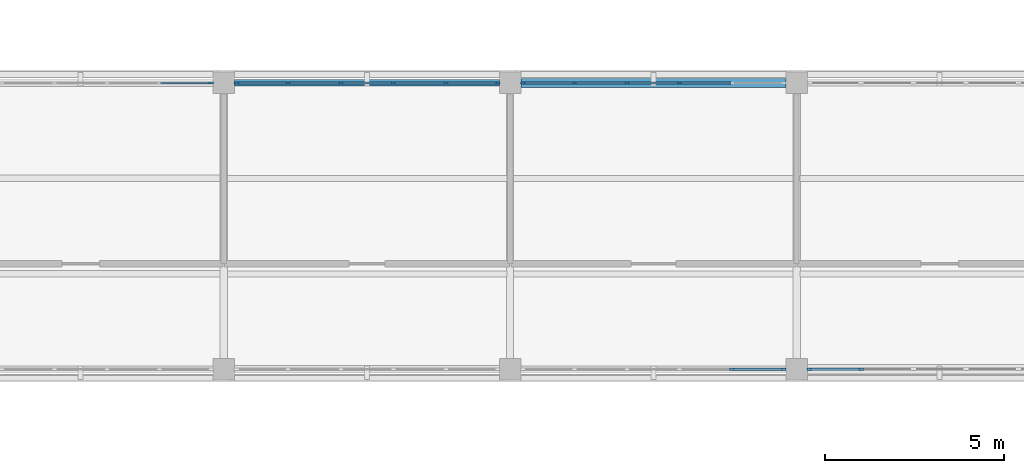
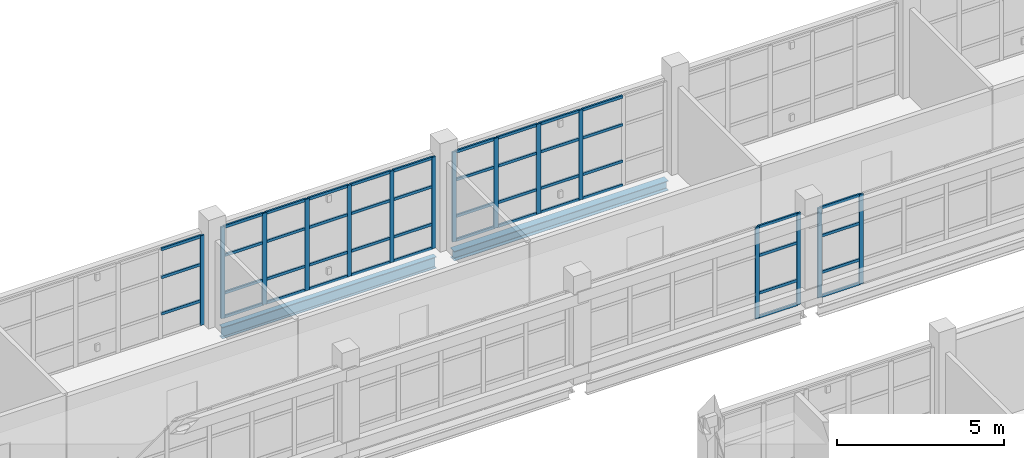
# One storey, part 52 of 126: 62 members, 2 beams, 5 elements without a shape of their own.
"""IFC4 building model written with IfcOpenShell, lengths in metres."""

from ifc_helpers import new_model, si_unit, derived_unit, direction, frame, origin, origin_2d, place, context, subcontext, project, spatial, rectangle, i_section, extrude, material, layer, layer_set, material_profile, profile_set, type_object, element, aggregate, save


model = new_model("IFC4")

# Units and contexts
model_context = context("Model", 3, precision=1e-05, world=origin(), true_north=direction((0.0, 1.0)))
body_context = subcontext(model_context, "Body", "Model", "MODEL_VIEW")
ifc_project = project(units=[si_unit("LENGTHUNIT", "METRE"), si_unit("AREAUNIT", "SQUARE_METRE"), si_unit("VOLUMEUNIT", "CUBIC_METRE"), si_unit("PLANEANGLEUNIT", "RADIAN"), si_unit("MASSUNIT", "GRAM", prefix="KILO"), derived_unit("THERMALTRANSMITTANCEUNIT", [(si_unit("MASSUNIT", "GRAM", prefix="KILO"), 1), (si_unit("TIMEUNIT", "SECOND"), -3), (si_unit("THERMODYNAMICTEMPERATUREUNIT", "KELVIN"), -1)])], contexts=[model_context])

# Site, building, storey
site_placement = place(None, origin())
site = spatial("IfcSite", under=ifc_project, at=site_placement, CompositionType="ELEMENT")
building_placement = place(site_placement, origin())
building = spatial("IfcBuilding", under=site, at=building_placement, Name="Veyamyaing Civic Hall", CompositionType="ELEMENT")
storey_placement = place(building_placement, frame((0.0, 0.0, 9.89990234375)))
storey = spatial("IfcBuildingStorey", under=building, at=storey_placement, Name="L02", CompositionType="ELEMENT", Elevation=9.89990234375)

# Beams
ifc_material_1 = material(Name="Steel ASTM A992", Category="steel")
ifc_material_profile_1 = material_profile(ifc_material_1, i_section(OverallWidth=0.180908203125, OverallDepth=0.4169921875, WebThickness=0.010986328125, FlangeThickness=0.018310546875, FilletRadius=0.010009765625, at=origin_2d()), Name="W410X85")
ifc_profile_set_1 = profile_set([ifc_material_profile_1], Name="Steel ASTM A992")
beam_type_1 = type_object("IfcBeamType", Name="B-19", PredefinedType="SPANDREL", material=ifc_profile_set_1)
beam_1_placement = place(storey_placement, frame((128.300048828125, 56.0, -0.493408203125), z_axis=(1.0, 0.0, 0.0), x_axis=(0.0, 1.0, 0.0)))
element("IfcBeam", 1, at=beam_1_placement, inside=storey, type_object=beam_type_1, Name="Girder B-19 L02 Grid H 17-18", PredefinedType="SPANDREL", context=body_context, shape_type="SweptSolid", body=[
    extrude(i_section(OverallWidth=0.180908203125, OverallDepth=0.4169921875, WebThickness=0.010986328125, FlangeThickness=0.018310546875, FilletRadius=0.010009765625, at=origin_2d()), origin(), (0.0, 0.0, 1.0), 7.39990234375),
])
ifc_material_profile_2 = material_profile(ifc_material_1, i_section(OverallWidth=0.25390625, OverallDepth=0.35302734375, WebThickness=0.009521484375, FlangeThickness=0.016357421875, FilletRadius=0.011962890625, at=origin_2d()), Name="W360X91")
ifc_profile_set_2 = profile_set([ifc_material_profile_2], Name="Steel ASTM A992")
beam_type_2 = type_object("IfcBeamType", Name="B-20", PredefinedType="SPANDREL", material=ifc_profile_set_2)
beam_2_placement = place(storey_placement, frame((136.300048828125, 56.0, -0.46142578125), z_axis=(1.0, 0.0, 0.0), x_axis=(0.0, 1.0, 0.0)))
element("IfcBeam", 2, at=beam_2_placement, inside=storey, type_object=beam_type_2, Name="Girder B-20 L02 Grid H 18-19", PredefinedType="SPANDREL", context=body_context, shape_type="SweptSolid", body=[
    extrude(i_section(OverallWidth=0.25390625, OverallDepth=0.35302734375, WebThickness=0.009521484375, FlangeThickness=0.016357421875, FilletRadius=0.011962890625, at=origin_2d()), origin(), (0.0, 0.0, 1.0), 7.39990234375),
])

# Curtain wall, member
ifc_material_2 = material(Name="Anodised aluminium 6063-T6", Category="aluminium")
ifc_layer = layer(ifc_material_2, 0.139892578125, Name="Anodised aluminium 6063-T6")
ifc_layer_set = layer_set([ifc_layer], Name="Anodised aluminium 6063-T6")
curtain_wall_type = type_object("IfcCurtainWallType", Name="CW-04", PredefinedType="NOTDEFINED", material=ifc_layer_set)
curtain_wall_1_placement = place(storey_placement, origin())
curtain_wall_1 = element("IfcCurtainWall", 3, at=curtain_wall_1_placement, inside=storey, type_object=curtain_wall_type, Name="Unitized curtain wall CW-04 L02 N 16.7", PredefinedType="NOTDEFINED")
ifc_material_profile_3 = material_profile(ifc_material_2, rectangle(XDim=0.06005859375, YDim=0.139892578125, at=origin_2d()), Name="ALU-MUL-60X140")
ifc_profile_set_3 = profile_set([ifc_material_profile_3], Name="Anodised aluminium 6063-T6")
member_type_1 = type_object("IfcMemberType", Name="CWM-03", PredefinedType="MULLION", material=ifc_profile_set_3)
member_1_placement = place(storey_placement, frame((127.639892578125, 56.0, 0.0), z_axis=(0.0, 0.0, 1.0), x_axis=(0.0, 1.0, 0.0)))
member_1 = element("IfcMember", 4, at=member_1_placement, type_object=member_type_1, Name="CW-04 mullion 6", PredefinedType="MULLION", context=body_context, shape_type="SweptSolid", body=[
    extrude(rectangle(XDim=0.06005859375, YDim=0.139892578125, at=origin_2d()), origin(), (0.0, 0.0, 1.0), 3.280029296875),
])

# Curtain wall, members
curtain_wall_2_placement = place(storey_placement, origin())
curtain_wall_2 = element("IfcCurtainWall", 5, at=curtain_wall_2_placement, inside=storey, type_object=curtain_wall_type, Name="Unitized curtain wall CW-04 L02 N 17.7", PredefinedType="NOTDEFINED")
member_2_placement = place(storey_placement, frame((128.360107421875, 56.0, 0.0), z_axis=(0.0, 0.0, 1.0), x_axis=(0.0, 1.0, 0.0)))
member_2 = element("IfcMember", 6, at=member_2_placement, type_object=member_type_1, Name="CW-04 mullion 1", PredefinedType="MULLION", context=body_context, shape_type="SweptSolid", body=[
    extrude(rectangle(XDim=0.06005859375, YDim=0.139892578125, at=origin_2d()), origin(), (0.0, 0.0, 1.0), 3.343994140625),
])
member_3_placement = place(storey_placement, frame((129.798095703125, 56.0, 0.0), z_axis=(0.0, 0.0, 1.0), x_axis=(0.0, 1.0, 0.0)))
member_3 = element("IfcMember", 7, at=member_3_placement, type_object=member_type_1, Name="CW-04 mullion 2", PredefinedType="MULLION", context=body_context, shape_type="SweptSolid", body=[
    extrude(rectangle(XDim=0.06005859375, YDim=0.139892578125, at=origin_2d()), origin(), (0.0, 0.0, 1.0), 3.343994140625),
])
member_4_placement = place(storey_placement, frame((131.26611328125, 56.0, 0.0), z_axis=(0.0, 0.0, 1.0), x_axis=(0.0, 1.0, 0.0)))
member_4 = element("IfcMember", 8, at=member_4_placement, type_object=member_type_1, Name="CW-04 mullion 3", PredefinedType="MULLION", context=body_context, shape_type="SweptSolid", body=[
    extrude(rectangle(XDim=0.06005859375, YDim=0.139892578125, at=origin_2d()), origin(), (0.0, 0.0, 1.0), 3.343994140625),
])
member_5_placement = place(storey_placement, frame((132.73388671875, 56.0, 0.0), z_axis=(0.0, 0.0, 1.0), x_axis=(0.0, 1.0, 0.0)))
member_5 = element("IfcMember", 9, at=member_5_placement, type_object=member_type_1, Name="CW-04 mullion 4", PredefinedType="MULLION", context=body_context, shape_type="SweptSolid", body=[
    extrude(rectangle(XDim=0.06005859375, YDim=0.139892578125, at=origin_2d()), origin(), (0.0, 0.0, 1.0), 3.343994140625),
])
member_6_placement = place(storey_placement, frame((134.201904296875, 56.0, 0.0), z_axis=(0.0, 0.0, 1.0), x_axis=(0.0, 1.0, 0.0)))
member_6 = element("IfcMember", 10, at=member_6_placement, type_object=member_type_1, Name="CW-04 mullion 5", PredefinedType="MULLION", context=body_context, shape_type="SweptSolid", body=[
    extrude(rectangle(XDim=0.06005859375, YDim=0.139892578125, at=origin_2d()), origin(), (0.0, 0.0, 1.0), 3.343994140625),
])
member_7_placement = place(storey_placement, frame((135.639892578125, 56.0, 0.0), z_axis=(0.0, 0.0, 1.0), x_axis=(0.0, 1.0, 0.0)))
member_7 = element("IfcMember", 11, at=member_7_placement, type_object=member_type_1, Name="CW-04 mullion 6", PredefinedType="MULLION", context=body_context, shape_type="SweptSolid", body=[
    extrude(rectangle(XDim=0.06005859375, YDim=0.139892578125, at=origin_2d()), origin(), (0.0, 0.0, 1.0), 3.343994140625),
])

curtain_wall_3_placement = place(storey_placement, origin())
curtain_wall_3 = element("IfcCurtainWall", 12, at=curtain_wall_3_placement, inside=storey, type_object=curtain_wall_type, Name="Unitized curtain wall CW-04 L02 S 18.7", PredefinedType="NOTDEFINED")
member_8_placement = place(storey_placement, frame((142.201904296875, 48.0, 0.0), z_axis=(0.0, 0.0, 1.0), x_axis=(0.0, 1.0, 0.0)))
member_8 = element("IfcMember", 13, at=member_8_placement, type_object=member_type_1, Name="CW-04 mullion 5", PredefinedType="MULLION", context=body_context, shape_type="SweptSolid", body=[
    extrude(rectangle(XDim=0.06005859375, YDim=0.139892578125, at=origin_2d()), origin(), (0.0, 0.0, 1.0), 3.343994140625),
])
member_9_placement = place(storey_placement, frame((143.639892578125, 48.0, 0.0), z_axis=(0.0, 0.0, 1.0), x_axis=(0.0, 1.0, 0.0)))
member_9 = element("IfcMember", 14, at=member_9_placement, type_object=member_type_1, Name="CW-04 mullion 6", PredefinedType="MULLION", context=body_context, shape_type="SweptSolid", body=[
    extrude(rectangle(XDim=0.06005859375, YDim=0.139892578125, at=origin_2d()), origin(), (0.0, 0.0, 1.0), 3.343994140625),
])

curtain_wall_4_placement = place(storey_placement, origin())
curtain_wall_4 = element("IfcCurtainWall", 15, at=curtain_wall_4_placement, inside=storey, type_object=curtain_wall_type, Name="Unitized curtain wall CW-04 L02 N 18.7", PredefinedType="NOTDEFINED")
member_10_placement = place(storey_placement, frame((136.360107421875, 56.0, 0.0), z_axis=(0.0, 0.0, 1.0), x_axis=(0.0, 1.0, 0.0)))
member_10 = element("IfcMember", 16, at=member_10_placement, type_object=member_type_1, Name="CW-04 mullion 1", PredefinedType="MULLION", context=body_context, shape_type="SweptSolid", body=[
    extrude(rectangle(XDim=0.06005859375, YDim=0.139892578125, at=origin_2d()), origin(), (0.0, 0.0, 1.0), 3.2841796875),
])
member_11_placement = place(storey_placement, frame((137.798095703125, 56.0, 0.0), z_axis=(0.0, 0.0, 1.0), x_axis=(0.0, 1.0, 0.0)))
member_11 = element("IfcMember", 17, at=member_11_placement, type_object=member_type_1, Name="CW-04 mullion 2", PredefinedType="MULLION", context=body_context, shape_type="SweptSolid", body=[
    extrude(rectangle(XDim=0.06005859375, YDim=0.139892578125, at=origin_2d()), origin(), (0.0, 0.0, 1.0), 3.2841796875),
])
member_12_placement = place(storey_placement, frame((139.26611328125, 56.0, 0.0), z_axis=(0.0, 0.0, 1.0), x_axis=(0.0, 1.0, 0.0)))
member_12 = element("IfcMember", 18, at=member_12_placement, type_object=member_type_1, Name="CW-04 mullion 3", PredefinedType="MULLION", context=body_context, shape_type="SweptSolid", body=[
    extrude(rectangle(XDim=0.06005859375, YDim=0.139892578125, at=origin_2d()), origin(), (0.0, 0.0, 1.0), 3.2841796875),
])
member_13_placement = place(storey_placement, frame((140.73388671875, 56.0, 0.0), z_axis=(0.0, 0.0, 1.0), x_axis=(0.0, 1.0, 0.0)))
member_13 = element("IfcMember", 19, at=member_13_placement, type_object=member_type_1, Name="CW-04 mullion 4", PredefinedType="MULLION", context=body_context, shape_type="SweptSolid", body=[
    extrude(rectangle(XDim=0.06005859375, YDim=0.139892578125, at=origin_2d()), origin(), (0.0, 0.0, 1.0), 3.2841796875),
])

curtain_wall_5_placement = place(storey_placement, origin())
curtain_wall_5 = element("IfcCurtainWall", 20, at=curtain_wall_5_placement, inside=storey, type_object=curtain_wall_type, Name="Unitized curtain wall CW-04 L02 S 19.7", PredefinedType="NOTDEFINED")
member_14_placement = place(storey_placement, frame((144.360107421875, 48.0, 0.0), z_axis=(0.0, 0.0, 1.0), x_axis=(0.0, 1.0, 0.0)))
member_14 = element("IfcMember", 21, at=member_14_placement, type_object=member_type_1, Name="CW-04 mullion 1", PredefinedType="MULLION", context=body_context, shape_type="SweptSolid", body=[
    extrude(rectangle(XDim=0.06005859375, YDim=0.139892578125, at=origin_2d()), origin(), (0.0, 0.0, 1.0), 3.2841796875),
])
member_15_placement = place(storey_placement, frame((145.798095703125, 48.0, 0.0), z_axis=(0.0, 0.0, 1.0), x_axis=(0.0, 1.0, 0.0)))
member_15 = element("IfcMember", 22, at=member_15_placement, type_object=member_type_1, Name="CW-04 mullion 2", PredefinedType="MULLION", context=body_context, shape_type="SweptSolid", body=[
    extrude(rectangle(XDim=0.06005859375, YDim=0.139892578125, at=origin_2d()), origin(), (0.0, 0.0, 1.0), 3.2841796875),
])

# Member
ifc_material_profile_4 = material_profile(ifc_material_2, rectangle(XDim=0.06005859375, YDim=0.10009765625, at=origin_2d()), Name="ALU-TRN-60X100")
ifc_profile_set_4 = profile_set([ifc_material_profile_4], Name="Anodised aluminium 6063-T6")
member_type_2 = type_object("IfcMemberType", Name="CWT-03", PredefinedType="USERDEFINED", material=ifc_profile_set_4)
member_16_placement = place(storey_placement, frame((126.23193359375, 56.0, 0.900146484375), z_axis=(1.0, 0.0, 0.0), x_axis=(0.0, 1.0, 0.0)))
member_16 = element("IfcMember", 23, at=member_16_placement, type_object=member_type_2, Name="CW-04 transom 5.2", ObjectType="TRANSOM", PredefinedType="USERDEFINED", context=body_context, shape_type="SweptSolid", body=[
    extrude(rectangle(XDim=0.06005859375, YDim=0.10009765625, at=origin_2d()), origin(), (0.0, 0.0, 1.0), 1.378173828125),
])

member_17_placement = place(storey_placement, frame((126.23193359375, 56.0, 2.23046875), z_axis=(1.0, 0.0, 0.0), x_axis=(0.0, 1.0, 0.0)))
member_17 = element("IfcMember", 24, at=member_17_placement, type_object=member_type_2, Name="CW-04 transom 5.3", ObjectType="TRANSOM", PredefinedType="USERDEFINED", context=body_context, shape_type="SweptSolid", body=[
    extrude(rectangle(XDim=0.06005859375, YDim=0.10009765625, at=origin_2d()), origin(), (0.0, 0.0, 1.0), 1.378173828125),
])

member_18_placement = place(storey_placement, frame((126.23193359375, 56.0, 3.25), z_axis=(1.0, 0.0, 0.0), x_axis=(0.0, 1.0, 0.0)))
member_18 = element("IfcMember", 25, at=member_18_placement, type_object=member_type_2, Name="CW-04 transom 5.4", ObjectType="TRANSOM", PredefinedType="USERDEFINED", context=body_context, shape_type="SweptSolid", body=[
    extrude(rectangle(XDim=0.06005859375, YDim=0.10009765625, at=origin_2d()), origin(), (0.0, 0.0, 1.0), 1.378173828125),
])

aggregate(curtain_wall_1, [member_1, member_16, member_17, member_18])

member_19_placement = place(storey_placement, frame((128.389892578125, 56.0, 0.030029296875), z_axis=(1.0, 0.0, 0.0), x_axis=(0.0, 1.0, 0.0)))
member_19 = element("IfcMember", 26, at=member_19_placement, type_object=member_type_2, Name="CW-04 transom 1.1", ObjectType="TRANSOM", PredefinedType="USERDEFINED", context=body_context, shape_type="SweptSolid", body=[
    extrude(rectangle(XDim=0.06005859375, YDim=0.10009765625, at=origin_2d()), origin(), (0.0, 0.0, 1.0), 1.378173828125),
])

member_20_placement = place(storey_placement, frame((128.389892578125, 56.0, 0.900146484375), z_axis=(1.0, 0.0, 0.0), x_axis=(0.0, 1.0, 0.0)))
member_20 = element("IfcMember", 27, at=member_20_placement, type_object=member_type_2, Name="CW-04 transom 1.2", ObjectType="TRANSOM", PredefinedType="USERDEFINED", context=body_context, shape_type="SweptSolid", body=[
    extrude(rectangle(XDim=0.06005859375, YDim=0.10009765625, at=origin_2d()), origin(), (0.0, 0.0, 1.0), 1.378173828125),
])

member_21_placement = place(storey_placement, frame((128.389892578125, 56.0, 2.27392578125), z_axis=(1.0, 0.0, 0.0), x_axis=(0.0, 1.0, 0.0)))
member_21 = element("IfcMember", 28, at=member_21_placement, type_object=member_type_2, Name="CW-04 transom 1.3", ObjectType="TRANSOM", PredefinedType="USERDEFINED", context=body_context, shape_type="SweptSolid", body=[
    extrude(rectangle(XDim=0.06005859375, YDim=0.10009765625, at=origin_2d()), origin(), (0.0, 0.0, 1.0), 1.378173828125),
])

member_22_placement = place(storey_placement, frame((128.389892578125, 56.0, 3.314208984375), z_axis=(1.0, 0.0, 0.0), x_axis=(0.0, 1.0, 0.0)))
member_22 = element("IfcMember", 29, at=member_22_placement, type_object=member_type_2, Name="CW-04 transom 1.4", ObjectType="TRANSOM", PredefinedType="USERDEFINED", context=body_context, shape_type="SweptSolid", body=[
    extrude(rectangle(XDim=0.06005859375, YDim=0.10009765625, at=origin_2d()), origin(), (0.0, 0.0, 1.0), 1.378173828125),
])

member_23_placement = place(storey_placement, frame((129.827880859375, 56.0, 0.030029296875), z_axis=(1.0, 0.0, 0.0), x_axis=(0.0, 1.0, 0.0)))
member_23 = element("IfcMember", 30, at=member_23_placement, type_object=member_type_2, Name="CW-04 transom 2.1", ObjectType="TRANSOM", PredefinedType="USERDEFINED", context=body_context, shape_type="SweptSolid", body=[
    extrude(rectangle(XDim=0.06005859375, YDim=0.10009765625, at=origin_2d()), origin(), (0.0, 0.0, 1.0), 1.408203125),
])

member_24_placement = place(storey_placement, frame((129.827880859375, 56.0, 0.900146484375), z_axis=(1.0, 0.0, 0.0), x_axis=(0.0, 1.0, 0.0)))
member_24 = element("IfcMember", 31, at=member_24_placement, type_object=member_type_2, Name="CW-04 transom 2.2", ObjectType="TRANSOM", PredefinedType="USERDEFINED", context=body_context, shape_type="SweptSolid", body=[
    extrude(rectangle(XDim=0.06005859375, YDim=0.10009765625, at=origin_2d()), origin(), (0.0, 0.0, 1.0), 1.408203125),
])

member_25_placement = place(storey_placement, frame((129.827880859375, 56.0, 2.27392578125), z_axis=(1.0, 0.0, 0.0), x_axis=(0.0, 1.0, 0.0)))
member_25 = element("IfcMember", 32, at=member_25_placement, type_object=member_type_2, Name="CW-04 transom 2.3", ObjectType="TRANSOM", PredefinedType="USERDEFINED", context=body_context, shape_type="SweptSolid", body=[
    extrude(rectangle(XDim=0.06005859375, YDim=0.10009765625, at=origin_2d()), origin(), (0.0, 0.0, 1.0), 1.408203125),
])

member_26_placement = place(storey_placement, frame((129.827880859375, 56.0, 3.314208984375), z_axis=(1.0, 0.0, 0.0), x_axis=(0.0, 1.0, 0.0)))
member_26 = element("IfcMember", 33, at=member_26_placement, type_object=member_type_2, Name="CW-04 transom 2.4", ObjectType="TRANSOM", PredefinedType="USERDEFINED", context=body_context, shape_type="SweptSolid", body=[
    extrude(rectangle(XDim=0.06005859375, YDim=0.10009765625, at=origin_2d()), origin(), (0.0, 0.0, 1.0), 1.408203125),
])

member_27_placement = place(storey_placement, frame((131.2958984375, 56.0, 0.030029296875), z_axis=(1.0, 0.0, 0.0), x_axis=(0.0, 1.0, 0.0)))
member_27 = element("IfcMember", 34, at=member_27_placement, type_object=member_type_2, Name="CW-04 transom 3.1", ObjectType="TRANSOM", PredefinedType="USERDEFINED", context=body_context, shape_type="SweptSolid", body=[
    extrude(rectangle(XDim=0.06005859375, YDim=0.10009765625, at=origin_2d()), origin(), (0.0, 0.0, 1.0), 1.408203125),
])

member_28_placement = place(storey_placement, frame((131.2958984375, 56.0, 0.900146484375), z_axis=(1.0, 0.0, 0.0), x_axis=(0.0, 1.0, 0.0)))
member_28 = element("IfcMember", 35, at=member_28_placement, type_object=member_type_2, Name="CW-04 transom 3.2", ObjectType="TRANSOM", PredefinedType="USERDEFINED", context=body_context, shape_type="SweptSolid", body=[
    extrude(rectangle(XDim=0.06005859375, YDim=0.10009765625, at=origin_2d()), origin(), (0.0, 0.0, 1.0), 1.408203125),
])

member_29_placement = place(storey_placement, frame((131.2958984375, 56.0, 2.27392578125), z_axis=(1.0, 0.0, 0.0), x_axis=(0.0, 1.0, 0.0)))
member_29 = element("IfcMember", 36, at=member_29_placement, type_object=member_type_2, Name="CW-04 transom 3.3", ObjectType="TRANSOM", PredefinedType="USERDEFINED", context=body_context, shape_type="SweptSolid", body=[
    extrude(rectangle(XDim=0.06005859375, YDim=0.10009765625, at=origin_2d()), origin(), (0.0, 0.0, 1.0), 1.408203125),
])

member_30_placement = place(storey_placement, frame((131.2958984375, 56.0, 3.314208984375), z_axis=(1.0, 0.0, 0.0), x_axis=(0.0, 1.0, 0.0)))
member_30 = element("IfcMember", 37, at=member_30_placement, type_object=member_type_2, Name="CW-04 transom 3.4", ObjectType="TRANSOM", PredefinedType="USERDEFINED", context=body_context, shape_type="SweptSolid", body=[
    extrude(rectangle(XDim=0.06005859375, YDim=0.10009765625, at=origin_2d()), origin(), (0.0, 0.0, 1.0), 1.408203125),
])

member_31_placement = place(storey_placement, frame((132.763916015625, 56.0, 0.030029296875), z_axis=(1.0, 0.0, 0.0), x_axis=(0.0, 1.0, 0.0)))
member_31 = element("IfcMember", 38, at=member_31_placement, type_object=member_type_2, Name="CW-04 transom 4.1", ObjectType="TRANSOM", PredefinedType="USERDEFINED", context=body_context, shape_type="SweptSolid", body=[
    extrude(rectangle(XDim=0.06005859375, YDim=0.10009765625, at=origin_2d()), origin(), (0.0, 0.0, 1.0), 1.408203125),
])

member_32_placement = place(storey_placement, frame((132.763916015625, 56.0, 0.900146484375), z_axis=(1.0, 0.0, 0.0), x_axis=(0.0, 1.0, 0.0)))
member_32 = element("IfcMember", 39, at=member_32_placement, type_object=member_type_2, Name="CW-04 transom 4.2", ObjectType="TRANSOM", PredefinedType="USERDEFINED", context=body_context, shape_type="SweptSolid", body=[
    extrude(rectangle(XDim=0.06005859375, YDim=0.10009765625, at=origin_2d()), origin(), (0.0, 0.0, 1.0), 1.408203125),
])

member_33_placement = place(storey_placement, frame((132.763916015625, 56.0, 2.27392578125), z_axis=(1.0, 0.0, 0.0), x_axis=(0.0, 1.0, 0.0)))
member_33 = element("IfcMember", 40, at=member_33_placement, type_object=member_type_2, Name="CW-04 transom 4.3", ObjectType="TRANSOM", PredefinedType="USERDEFINED", context=body_context, shape_type="SweptSolid", body=[
    extrude(rectangle(XDim=0.06005859375, YDim=0.10009765625, at=origin_2d()), origin(), (0.0, 0.0, 1.0), 1.408203125),
])

member_34_placement = place(storey_placement, frame((132.763916015625, 56.0, 3.314208984375), z_axis=(1.0, 0.0, 0.0), x_axis=(0.0, 1.0, 0.0)))
member_34 = element("IfcMember", 41, at=member_34_placement, type_object=member_type_2, Name="CW-04 transom 4.4", ObjectType="TRANSOM", PredefinedType="USERDEFINED", context=body_context, shape_type="SweptSolid", body=[
    extrude(rectangle(XDim=0.06005859375, YDim=0.10009765625, at=origin_2d()), origin(), (0.0, 0.0, 1.0), 1.408203125),
])

member_35_placement = place(storey_placement, frame((134.23193359375, 56.0, 0.030029296875), z_axis=(1.0, 0.0, 0.0), x_axis=(0.0, 1.0, 0.0)))
member_35 = element("IfcMember", 42, at=member_35_placement, type_object=member_type_2, Name="CW-04 transom 5.1", ObjectType="TRANSOM", PredefinedType="USERDEFINED", context=body_context, shape_type="SweptSolid", body=[
    extrude(rectangle(XDim=0.06005859375, YDim=0.10009765625, at=origin_2d()), origin(), (0.0, 0.0, 1.0), 1.378173828125),
])

member_36_placement = place(storey_placement, frame((134.23193359375, 56.0, 0.900146484375), z_axis=(1.0, 0.0, 0.0), x_axis=(0.0, 1.0, 0.0)))
member_36 = element("IfcMember", 43, at=member_36_placement, type_object=member_type_2, Name="CW-04 transom 5.2", ObjectType="TRANSOM", PredefinedType="USERDEFINED", context=body_context, shape_type="SweptSolid", body=[
    extrude(rectangle(XDim=0.06005859375, YDim=0.10009765625, at=origin_2d()), origin(), (0.0, 0.0, 1.0), 1.378173828125),
])

member_37_placement = place(storey_placement, frame((134.23193359375, 56.0, 2.27392578125), z_axis=(1.0, 0.0, 0.0), x_axis=(0.0, 1.0, 0.0)))
member_37 = element("IfcMember", 44, at=member_37_placement, type_object=member_type_2, Name="CW-04 transom 5.3", ObjectType="TRANSOM", PredefinedType="USERDEFINED", context=body_context, shape_type="SweptSolid", body=[
    extrude(rectangle(XDim=0.06005859375, YDim=0.10009765625, at=origin_2d()), origin(), (0.0, 0.0, 1.0), 1.378173828125),
])

member_38_placement = place(storey_placement, frame((134.23193359375, 56.0, 3.314208984375), z_axis=(1.0, 0.0, 0.0), x_axis=(0.0, 1.0, 0.0)))
member_38 = element("IfcMember", 45, at=member_38_placement, type_object=member_type_2, Name="CW-04 transom 5.4", ObjectType="TRANSOM", PredefinedType="USERDEFINED", context=body_context, shape_type="SweptSolid", body=[
    extrude(rectangle(XDim=0.06005859375, YDim=0.10009765625, at=origin_2d()), origin(), (0.0, 0.0, 1.0), 1.378173828125),
])

aggregate(curtain_wall_2, [member_2, member_3, member_4, member_5, member_6, member_7, member_19, member_20, member_21, member_22, member_23, member_24, member_25, member_26, member_27, member_28, member_29, member_30, member_31, member_32, member_33, member_34, member_35, member_36, member_37, member_38])

member_39_placement = place(storey_placement, frame((142.23193359375, 48.0, 0.030029296875), z_axis=(1.0, 0.0, 0.0), x_axis=(0.0, 1.0, 0.0)))
member_39 = element("IfcMember", 46, at=member_39_placement, type_object=member_type_2, Name="CW-04 transom 5.1", ObjectType="TRANSOM", PredefinedType="USERDEFINED", context=body_context, shape_type="SweptSolid", body=[
    extrude(rectangle(XDim=0.06005859375, YDim=0.10009765625, at=origin_2d()), origin(), (0.0, 0.0, 1.0), 1.378173828125),
])

member_40_placement = place(storey_placement, frame((142.23193359375, 48.0, 0.900146484375), z_axis=(1.0, 0.0, 0.0), x_axis=(0.0, 1.0, 0.0)))
member_40 = element("IfcMember", 47, at=member_40_placement, type_object=member_type_2, Name="CW-04 transom 5.2", ObjectType="TRANSOM", PredefinedType="USERDEFINED", context=body_context, shape_type="SweptSolid", body=[
    extrude(rectangle(XDim=0.06005859375, YDim=0.10009765625, at=origin_2d()), origin(), (0.0, 0.0, 1.0), 1.378173828125),
])

member_41_placement = place(storey_placement, frame((142.23193359375, 48.0, 2.27392578125), z_axis=(1.0, 0.0, 0.0), x_axis=(0.0, 1.0, 0.0)))
member_41 = element("IfcMember", 48, at=member_41_placement, type_object=member_type_2, Name="CW-04 transom 5.3", ObjectType="TRANSOM", PredefinedType="USERDEFINED", context=body_context, shape_type="SweptSolid", body=[
    extrude(rectangle(XDim=0.06005859375, YDim=0.10009765625, at=origin_2d()), origin(), (0.0, 0.0, 1.0), 1.378173828125),
])

member_42_placement = place(storey_placement, frame((142.23193359375, 48.0, 3.314208984375), z_axis=(1.0, 0.0, 0.0), x_axis=(0.0, 1.0, 0.0)))
member_42 = element("IfcMember", 49, at=member_42_placement, type_object=member_type_2, Name="CW-04 transom 5.4", ObjectType="TRANSOM", PredefinedType="USERDEFINED", context=body_context, shape_type="SweptSolid", body=[
    extrude(rectangle(XDim=0.06005859375, YDim=0.10009765625, at=origin_2d()), origin(), (0.0, 0.0, 1.0), 1.378173828125),
])

aggregate(curtain_wall_3, [member_8, member_9, member_39, member_40, member_41, member_42])

member_43_placement = place(storey_placement, frame((136.389892578125, 56.0, 0.030029296875), z_axis=(1.0, 0.0, 0.0), x_axis=(0.0, 1.0, 0.0)))
member_43 = element("IfcMember", 50, at=member_43_placement, type_object=member_type_2, Name="CW-04 transom 1.1", ObjectType="TRANSOM", PredefinedType="USERDEFINED", context=body_context, shape_type="SweptSolid", body=[
    extrude(rectangle(XDim=0.06005859375, YDim=0.10009765625, at=origin_2d()), origin(), (0.0, 0.0, 1.0), 1.378173828125),
])

member_44_placement = place(storey_placement, frame((136.389892578125, 56.0, 0.900146484375), z_axis=(1.0, 0.0, 0.0), x_axis=(0.0, 1.0, 0.0)))
member_44 = element("IfcMember", 51, at=member_44_placement, type_object=member_type_2, Name="CW-04 transom 1.2", ObjectType="TRANSOM", PredefinedType="USERDEFINED", context=body_context, shape_type="SweptSolid", body=[
    extrude(rectangle(XDim=0.06005859375, YDim=0.10009765625, at=origin_2d()), origin(), (0.0, 0.0, 1.0), 1.378173828125),
])

member_45_placement = place(storey_placement, frame((136.389892578125, 56.0, 2.233154296875), z_axis=(1.0, 0.0, 0.0), x_axis=(0.0, 1.0, 0.0)))
member_45 = element("IfcMember", 52, at=member_45_placement, type_object=member_type_2, Name="CW-04 transom 1.3", ObjectType="TRANSOM", PredefinedType="USERDEFINED", context=body_context, shape_type="SweptSolid", body=[
    extrude(rectangle(XDim=0.06005859375, YDim=0.10009765625, at=origin_2d()), origin(), (0.0, 0.0, 1.0), 1.378173828125),
])

member_46_placement = place(storey_placement, frame((136.389892578125, 56.0, 3.254150390625), z_axis=(1.0, 0.0, 0.0), x_axis=(0.0, 1.0, 0.0)))
member_46 = element("IfcMember", 53, at=member_46_placement, type_object=member_type_2, Name="CW-04 transom 1.4", ObjectType="TRANSOM", PredefinedType="USERDEFINED", context=body_context, shape_type="SweptSolid", body=[
    extrude(rectangle(XDim=0.06005859375, YDim=0.10009765625, at=origin_2d()), origin(), (0.0, 0.0, 1.0), 1.378173828125),
])

member_47_placement = place(storey_placement, frame((137.827880859375, 56.0, 0.030029296875), z_axis=(1.0, 0.0, 0.0), x_axis=(0.0, 1.0, 0.0)))
member_47 = element("IfcMember", 54, at=member_47_placement, type_object=member_type_2, Name="CW-04 transom 2.1", ObjectType="TRANSOM", PredefinedType="USERDEFINED", context=body_context, shape_type="SweptSolid", body=[
    extrude(rectangle(XDim=0.06005859375, YDim=0.10009765625, at=origin_2d()), origin(), (0.0, 0.0, 1.0), 1.408203125),
])

member_48_placement = place(storey_placement, frame((137.827880859375, 56.0, 0.900146484375), z_axis=(1.0, 0.0, 0.0), x_axis=(0.0, 1.0, 0.0)))
member_48 = element("IfcMember", 55, at=member_48_placement, type_object=member_type_2, Name="CW-04 transom 2.2", ObjectType="TRANSOM", PredefinedType="USERDEFINED", context=body_context, shape_type="SweptSolid", body=[
    extrude(rectangle(XDim=0.06005859375, YDim=0.10009765625, at=origin_2d()), origin(), (0.0, 0.0, 1.0), 1.408203125),
])

member_49_placement = place(storey_placement, frame((137.827880859375, 56.0, 2.233154296875), z_axis=(1.0, 0.0, 0.0), x_axis=(0.0, 1.0, 0.0)))
member_49 = element("IfcMember", 56, at=member_49_placement, type_object=member_type_2, Name="CW-04 transom 2.3", ObjectType="TRANSOM", PredefinedType="USERDEFINED", context=body_context, shape_type="SweptSolid", body=[
    extrude(rectangle(XDim=0.06005859375, YDim=0.10009765625, at=origin_2d()), origin(), (0.0, 0.0, 1.0), 1.408203125),
])

member_50_placement = place(storey_placement, frame((137.827880859375, 56.0, 3.254150390625), z_axis=(1.0, 0.0, 0.0), x_axis=(0.0, 1.0, 0.0)))
member_50 = element("IfcMember", 57, at=member_50_placement, type_object=member_type_2, Name="CW-04 transom 2.4", ObjectType="TRANSOM", PredefinedType="USERDEFINED", context=body_context, shape_type="SweptSolid", body=[
    extrude(rectangle(XDim=0.06005859375, YDim=0.10009765625, at=origin_2d()), origin(), (0.0, 0.0, 1.0), 1.408203125),
])

member_51_placement = place(storey_placement, frame((139.2958984375, 56.0, 0.030029296875), z_axis=(1.0, 0.0, 0.0), x_axis=(0.0, 1.0, 0.0)))
member_51 = element("IfcMember", 58, at=member_51_placement, type_object=member_type_2, Name="CW-04 transom 3.1", ObjectType="TRANSOM", PredefinedType="USERDEFINED", context=body_context, shape_type="SweptSolid", body=[
    extrude(rectangle(XDim=0.06005859375, YDim=0.10009765625, at=origin_2d()), origin(), (0.0, 0.0, 1.0), 1.408203125),
])

member_52_placement = place(storey_placement, frame((139.2958984375, 56.0, 0.900146484375), z_axis=(1.0, 0.0, 0.0), x_axis=(0.0, 1.0, 0.0)))
member_52 = element("IfcMember", 59, at=member_52_placement, type_object=member_type_2, Name="CW-04 transom 3.2", ObjectType="TRANSOM", PredefinedType="USERDEFINED", context=body_context, shape_type="SweptSolid", body=[
    extrude(rectangle(XDim=0.06005859375, YDim=0.10009765625, at=origin_2d()), origin(), (0.0, 0.0, 1.0), 1.408203125),
])

member_53_placement = place(storey_placement, frame((139.2958984375, 56.0, 2.233154296875), z_axis=(1.0, 0.0, 0.0), x_axis=(0.0, 1.0, 0.0)))
member_53 = element("IfcMember", 60, at=member_53_placement, type_object=member_type_2, Name="CW-04 transom 3.3", ObjectType="TRANSOM", PredefinedType="USERDEFINED", context=body_context, shape_type="SweptSolid", body=[
    extrude(rectangle(XDim=0.06005859375, YDim=0.10009765625, at=origin_2d()), origin(), (0.0, 0.0, 1.0), 1.408203125),
])

member_54_placement = place(storey_placement, frame((139.2958984375, 56.0, 3.254150390625), z_axis=(1.0, 0.0, 0.0), x_axis=(0.0, 1.0, 0.0)))
member_54 = element("IfcMember", 61, at=member_54_placement, type_object=member_type_2, Name="CW-04 transom 3.4", ObjectType="TRANSOM", PredefinedType="USERDEFINED", context=body_context, shape_type="SweptSolid", body=[
    extrude(rectangle(XDim=0.06005859375, YDim=0.10009765625, at=origin_2d()), origin(), (0.0, 0.0, 1.0), 1.408203125),
])

member_55_placement = place(storey_placement, frame((140.763916015625, 56.0, 0.030029296875), z_axis=(1.0, 0.0, 0.0), x_axis=(0.0, 1.0, 0.0)))
member_55 = element("IfcMember", 62, at=member_55_placement, type_object=member_type_2, Name="CW-04 transom 4.1", ObjectType="TRANSOM", PredefinedType="USERDEFINED", context=body_context, shape_type="SweptSolid", body=[
    extrude(rectangle(XDim=0.06005859375, YDim=0.10009765625, at=origin_2d()), origin(), (0.0, 0.0, 1.0), 1.408203125),
])

member_56_placement = place(storey_placement, frame((140.763916015625, 56.0, 0.900146484375), z_axis=(1.0, 0.0, 0.0), x_axis=(0.0, 1.0, 0.0)))
member_56 = element("IfcMember", 63, at=member_56_placement, type_object=member_type_2, Name="CW-04 transom 4.2", ObjectType="TRANSOM", PredefinedType="USERDEFINED", context=body_context, shape_type="SweptSolid", body=[
    extrude(rectangle(XDim=0.06005859375, YDim=0.10009765625, at=origin_2d()), origin(), (0.0, 0.0, 1.0), 1.408203125),
])

member_57_placement = place(storey_placement, frame((140.763916015625, 56.0, 2.233154296875), z_axis=(1.0, 0.0, 0.0), x_axis=(0.0, 1.0, 0.0)))
member_57 = element("IfcMember", 64, at=member_57_placement, type_object=member_type_2, Name="CW-04 transom 4.3", ObjectType="TRANSOM", PredefinedType="USERDEFINED", context=body_context, shape_type="SweptSolid", body=[
    extrude(rectangle(XDim=0.06005859375, YDim=0.10009765625, at=origin_2d()), origin(), (0.0, 0.0, 1.0), 1.408203125),
])

member_58_placement = place(storey_placement, frame((140.763916015625, 56.0, 3.254150390625), z_axis=(1.0, 0.0, 0.0), x_axis=(0.0, 1.0, 0.0)))
member_58 = element("IfcMember", 65, at=member_58_placement, type_object=member_type_2, Name="CW-04 transom 4.4", ObjectType="TRANSOM", PredefinedType="USERDEFINED", context=body_context, shape_type="SweptSolid", body=[
    extrude(rectangle(XDim=0.06005859375, YDim=0.10009765625, at=origin_2d()), origin(), (0.0, 0.0, 1.0), 1.408203125),
])

aggregate(curtain_wall_4, [member_10, member_11, member_12, member_13, member_43, member_44, member_45, member_46, member_47, member_48, member_49, member_50, member_51, member_52, member_53, member_54, member_55, member_56, member_57, member_58])

member_59_placement = place(storey_placement, frame((144.389892578125, 48.0, 0.030029296875), z_axis=(1.0, 0.0, 0.0), x_axis=(0.0, 1.0, 0.0)))
member_59 = element("IfcMember", 66, at=member_59_placement, type_object=member_type_2, Name="CW-04 transom 1.1", ObjectType="TRANSOM", PredefinedType="USERDEFINED", context=body_context, shape_type="SweptSolid", body=[
    extrude(rectangle(XDim=0.06005859375, YDim=0.10009765625, at=origin_2d()), origin(), (0.0, 0.0, 1.0), 1.378173828125),
])

member_60_placement = place(storey_placement, frame((144.389892578125, 48.0, 0.900146484375), z_axis=(1.0, 0.0, 0.0), x_axis=(0.0, 1.0, 0.0)))
member_60 = element("IfcMember", 67, at=member_60_placement, type_object=member_type_2, Name="CW-04 transom 1.2", ObjectType="TRANSOM", PredefinedType="USERDEFINED", context=body_context, shape_type="SweptSolid", body=[
    extrude(rectangle(XDim=0.06005859375, YDim=0.10009765625, at=origin_2d()), origin(), (0.0, 0.0, 1.0), 1.378173828125),
])

member_61_placement = place(storey_placement, frame((144.389892578125, 48.0, 2.233154296875), z_axis=(1.0, 0.0, 0.0), x_axis=(0.0, 1.0, 0.0)))
member_61 = element("IfcMember", 68, at=member_61_placement, type_object=member_type_2, Name="CW-04 transom 1.3", ObjectType="TRANSOM", PredefinedType="USERDEFINED", context=body_context, shape_type="SweptSolid", body=[
    extrude(rectangle(XDim=0.06005859375, YDim=0.10009765625, at=origin_2d()), origin(), (0.0, 0.0, 1.0), 1.378173828125),
])

member_62_placement = place(storey_placement, frame((144.389892578125, 48.0, 3.254150390625), z_axis=(1.0, 0.0, 0.0), x_axis=(0.0, 1.0, 0.0)))
member_62 = element("IfcMember", 69, at=member_62_placement, type_object=member_type_2, Name="CW-04 transom 1.4", ObjectType="TRANSOM", PredefinedType="USERDEFINED", context=body_context, shape_type="SweptSolid", body=[
    extrude(rectangle(XDim=0.06005859375, YDim=0.10009765625, at=origin_2d()), origin(), (0.0, 0.0, 1.0), 1.378173828125),
])

aggregate(curtain_wall_5, [member_14, member_15, member_59, member_60, member_61, member_62])

save(model, "model.ifc")
